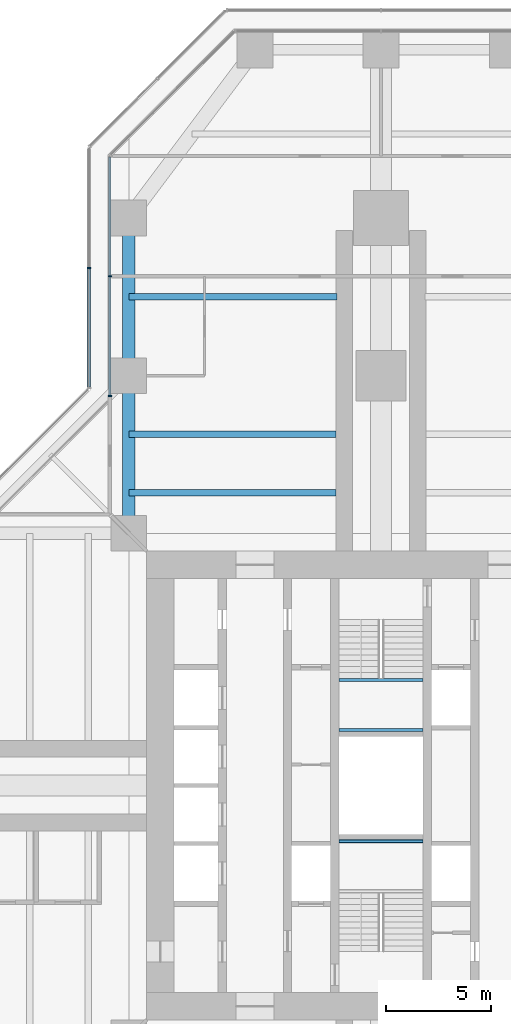
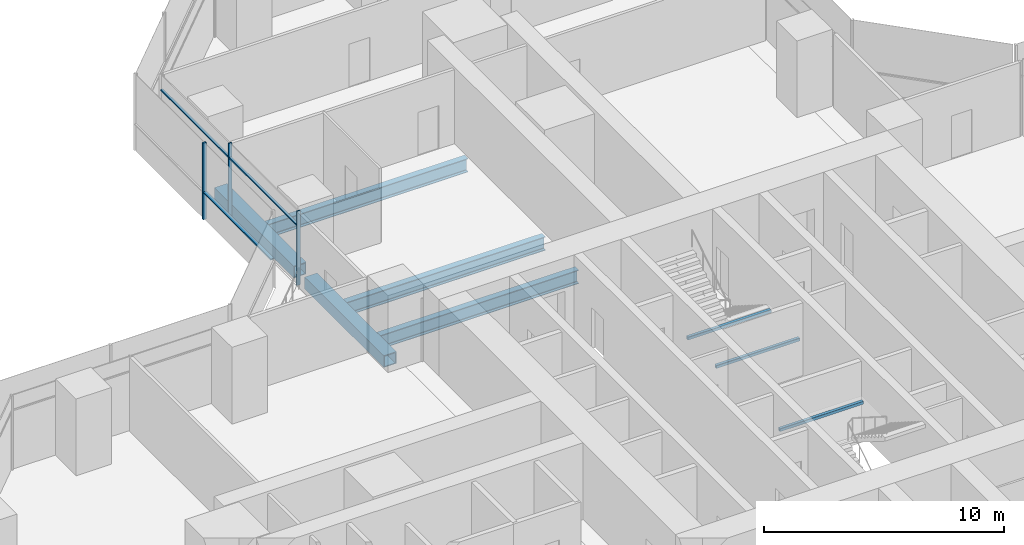
# One storey, part 9 of 22: 8 beams, 6 members, 2 elements without a shape of their own.
"""IFC4 building model written with IfcOpenShell, lengths in metres."""

from ifc_helpers import new_model, si_unit, direction, frame, origin, origin_2d, place, context, subcontext, project, spatial, rectangle, hollow_rectangle, i_section, extrude, material, material_profile, profile_set, type_object, element, aggregate, save


model = new_model("IFC4")

# Units and contexts
model_context = context("Model", 3, precision=1e-05, world=origin(), true_north=direction((0.0, 1.0)))
body_context = subcontext(model_context, "Body", "Model", "MODEL_VIEW")
ifc_project = project(units=[si_unit("LENGTHUNIT", "METRE"), si_unit("AREAUNIT", "SQUARE_METRE"), si_unit("VOLUMEUNIT", "CUBIC_METRE"), si_unit("PLANEANGLEUNIT", "RADIAN"), si_unit("MASSUNIT", "GRAM", prefix="KILO")], contexts=[model_context])

# Site, building, storey
site_placement = place(None, origin())
site = spatial("IfcSite", under=ifc_project, at=site_placement, CompositionType="ELEMENT")
building_placement = place(site_placement, origin())
building = spatial("IfcBuilding", under=site, at=building_placement, Name="Mizan Broadcast Tower", CompositionType="ELEMENT")
storey_placement = place(building_placement, frame((0.0, 0.0, 43.5)))
storey = spatial("IfcBuildingStorey", under=building, at=storey_placement, Name="L07", CompositionType="ELEMENT", Elevation=43.5)

# Beams
ifc_material_1 = material(Name="Steel S355", Category="steel")
ifc_material_profile_1 = material_profile(ifc_material_1, hollow_rectangle(XDim=0.60009765625, YDim=0.60009765625, WallThickness=0.0400390625, at=origin_2d()), Name="BOX 600x600x40")
ifc_profile_set_1 = profile_set([ifc_material_profile_1], Name="Steel S355")
beam_type_1 = type_object("IfcBeamType", Name="EDGE BEAM BOX 600x600x40", PredefinedType="SPANDREL", material=ifc_profile_set_1)
for number, where, z_axis, x_axis, name in (
    (1, (-12.0, 12.449951171875, -0.429931640625), (0.0, 1.0, 0.0), (-1.0, 0.0, 0.0), "Edge beam BOX 600x600x40 L07 north arm"),
    (2, (-12.0, 19.949951171875, -0.429931640625), (0.0, 1.0, 0.0), (-1.0, 0.0, 0.0), "Edge beam BOX 600x600x40 L07 north arm"),
):
    element("IfcBeam", number, at=place(storey_placement, frame(where, z_axis=z_axis, x_axis=x_axis)), inside=storey, type_object=beam_type_1, Name=name, PredefinedType="SPANDREL", context=body_context, shape_type="SweptSolid", body=[
        extrude(hollow_rectangle(XDim=0.60009765625, YDim=0.60009765625, WallThickness=0.0400390625, at=origin_2d()), origin(), (0.0, 0.0, 1.0), 6.60009765625),
    ])

# Curtain wall, members
ifc_material_2 = material(Name="Aluminium framed glazing", Category="aluminium")
curtain_wall_type_1 = type_object("IfcCurtainWallType", Name="INNER SKIN LOW ZONE", PredefinedType="USERDEFINED", material=ifc_material_2)
curtain_wall_1_placement = place(storey_placement, origin())
curtain_wall_1 = element("IfcCurtainWall", 3, at=curtain_wall_1_placement, inside=storey, type_object=curtain_wall_type_1, Name="Inner skin low zone L07 N side", ObjectType="INNER SKIN LOW ZONE", PredefinedType="USERDEFINED")
ifc_material_3 = material(Name="Aluminium, pale anodised", Category="aluminium")
ifc_material_profile_2 = material_profile(ifc_material_3, rectangle(XDim=0.159912109375, YDim=0.06005859375, at=origin_2d()), Name="MULLION 160x60")
ifc_profile_set_2 = profile_set([ifc_material_profile_2], Name="Aluminium, pale anodised")
member_type_1 = type_object("IfcMemberType", Name="INNER SKIN MULLION 60x160", PredefinedType="MULLION", material=ifc_profile_set_2)
member_1_placement = place(storey_placement, frame((-12.89990234375, 24.229248046875, 0.0), z_axis=(0.0, 0.0, 1.0), x_axis=(1.0, 0.0, 0.0)))
member_1 = element("IfcMember", 4, at=member_1_placement, type_object=member_type_1, Name="Inner skin low zone L07 N side mullion 2", PredefinedType="MULLION", context=body_context, shape_type="SweptSolid", body=[
    extrude(rectangle(XDim=0.159912109375, YDim=0.06005859375, at=origin_2d()), origin(), (0.0, 0.0, 1.0), 3.77001953125),
])
member_2_placement = place(storey_placement, frame((-12.89990234375, 18.530029296875, 0.0), z_axis=(0.0, 0.0, 1.0), x_axis=(1.0, 0.0, 0.0)))
member_2 = element("IfcMember", 5, at=member_2_placement, type_object=member_type_1, Name="Inner skin low zone L07 N side mullion 3", PredefinedType="MULLION", context=body_context, shape_type="SweptSolid", body=[
    extrude(rectangle(XDim=0.159912109375, YDim=0.06005859375, at=origin_2d()), origin(), (0.0, 0.0, 1.0), 3.77001953125),
])
ifc_material_4 = material(Name="Aluminium, pale anodised", Category="aluminium")
ifc_material_profile_3 = material_profile(ifc_material_4, rectangle(XDim=0.1201171875, YDim=0.06005859375, at=origin_2d()), Name="TRANSOM 120x60")
ifc_profile_set_3 = profile_set([ifc_material_profile_3], Name="Aluminium, pale anodised")
member_type_2 = type_object("IfcMemberType", Name="INNER SKIN TRANSOM 60x120", PredefinedType="USERDEFINED", material=ifc_profile_set_3)
member_3_placement = place(storey_placement, frame((-12.89990234375, 29.898681640625, 3.030029296875), z_axis=(0.0, -1.0, 0.0), x_axis=(1.0, 0.0, 0.0)))
member_3 = element("IfcMember", 6, at=member_3_placement, type_object=member_type_2, Name="Inner skin low zone L07 N side transom 1.1", ObjectType="TRANSOM", PredefinedType="USERDEFINED", context=body_context, shape_type="SweptSolid", body=[
    extrude(rectangle(XDim=0.1201171875, YDim=0.06005859375, at=origin_2d()), origin(), (0.0, 0.0, 1.0), 5.639404296875),
])
member_4_placement = place(storey_placement, frame((-12.89990234375, 24.19921875, 3.030029296875), z_axis=(0.0, -1.0, 0.0), x_axis=(1.0, 0.0, 0.0)))
member_4 = element("IfcMember", 7, at=member_4_placement, type_object=member_type_2, Name="Inner skin low zone L07 N side transom 2.1", ObjectType="TRANSOM", PredefinedType="USERDEFINED", context=body_context, shape_type="SweptSolid", body=[
    extrude(rectangle(XDim=0.1201171875, YDim=0.06005859375, at=origin_2d()), origin(), (0.0, 0.0, 1.0), 5.63916015625),
])
aggregate(curtain_wall_1, [member_1, member_2, member_3, member_4])

# Beams
ifc_material_5 = material(Name="Steel S355", Category="steel")
ifc_material_profile_4 = material_profile(ifc_material_5, hollow_rectangle(XDim=0.14990234375, YDim=0.14990234375, WallThickness=0.008056640625, InnerFilletRadius=0.008056640625, OuterFilletRadius=0.011962890625, at=origin_2d()), Name="SHS 150x150x8")
ifc_profile_set_4 = profile_set([ifc_material_profile_4], Name="Steel S355")
beam_type_2 = type_object("IfcBeamType", Name="LANDING TRIMMER SHS 150x150x8", PredefinedType="BEAM", material=ifc_profile_set_4)
for number, where, z_axis, x_axis, name in (
    (8, (-2.0, -2.64990234375, 1.675048828125), (1.0, 0.0, 0.0), (0.0, 1.0, 0.0), "Stair A landing trimmer L07"),
    (9, (2.0, 5.02490234375, 1.675048828125), (-1.0, 0.0, 0.0), (0.0, -1.0, 0.0), "Stair B landing trimmer L07"),
    (10, (2.0, 2.64990234375, 1.675048828125), (-1.0, 0.0, 0.0), (0.0, -1.0, 0.0), "Stair B landing trimmer L07"),
):
    element("IfcBeam", number, at=place(storey_placement, frame(where, z_axis=z_axis, x_axis=x_axis)), inside=storey, type_object=beam_type_2, Name=name, PredefinedType="BEAM", context=body_context, shape_type="SweptSolid", body=[
        extrude(hollow_rectangle(XDim=0.14990234375, YDim=0.14990234375, WallThickness=0.008056640625, InnerFilletRadius=0.008056640625, OuterFilletRadius=0.011962890625, at=origin_2d()), origin(), (0.0, 0.0, 1.0), 4.0),
    ])

# Curtain wall, members
ifc_material_6 = material(Name="Aluminium framed glazing", Category="aluminium")
curtain_wall_type_2 = type_object("IfcCurtainWallType", Name="OUTER SKIN", PredefinedType="USERDEFINED", material=ifc_material_6)
curtain_wall_2_placement = place(storey_placement, origin())
curtain_wall_2 = element("IfcCurtainWall", 11, at=curtain_wall_2_placement, inside=storey, type_object=curtain_wall_type_2, Name="Outer skin L07 N side", ObjectType="OUTER SKIN", PredefinedType="USERDEFINED")
ifc_material_7 = material(Name="Aluminium, pale anodised", Category="aluminium")
ifc_material_profile_5 = material_profile(ifc_material_7, rectangle(XDim=0.159912109375, YDim=0.080078125, at=origin_2d()), Name="MULLION 160x80")
ifc_profile_set_5 = profile_set([ifc_material_profile_5], Name="Aluminium, pale anodised")
member_type_3 = type_object("IfcMemberType", Name="OUTER SKIN MULLION 80x160", PredefinedType="MULLION", material=ifc_profile_set_5)
member_5_placement = place(storey_placement, frame((-13.89990234375, 24.622802734375, 0.0), z_axis=(0.0, 0.0, 1.0), x_axis=(1.0, 0.0, 0.0)))
member_5 = element("IfcMember", 12, at=member_5_placement, type_object=member_type_3, Name="Outer skin L07 N side mullion 2", PredefinedType="MULLION", context=body_context, shape_type="SweptSolid", body=[
    extrude(rectangle(XDim=0.159912109375, YDim=0.080078125, at=origin_2d()), origin(), (0.0, 0.0, 1.0), 3.89990234375),
])
ifc_material_8 = material(Name="Aluminium, pale anodised", Category="aluminium")
ifc_material_profile_6 = material_profile(ifc_material_8, rectangle(XDim=0.159912109375, YDim=0.06005859375, at=origin_2d()), Name="TRANSOM 160x60")
ifc_profile_set_6 = profile_set([ifc_material_profile_6], Name="Aluminium, pale anodised")
member_type_4 = type_object("IfcMemberType", Name="OUTER SKIN TRANSOM 60x160", PredefinedType="USERDEFINED", material=ifc_profile_set_6)
member_6_placement = place(storey_placement, frame((-13.89990234375, 24.582763671875, 1.39990234375), z_axis=(0.0, -1.0, 0.0), x_axis=(1.0, 0.0, 0.0)))
member_6 = element("IfcMember", 13, at=member_6_placement, type_object=member_type_4, Name="Outer skin L07 N side transom 2.1", ObjectType="TRANSOM", PredefinedType="USERDEFINED", context=body_context, shape_type="SweptSolid", body=[
    extrude(rectangle(XDim=0.159912109375, YDim=0.06005859375, at=origin_2d()), origin(), (0.0, 0.0, 1.0), 5.6298828125),
])
aggregate(curtain_wall_2, [member_5, member_6])

# Beams
ifc_material_9 = material(Name="Steel S355", Category="steel")
ifc_material_profile_7 = material_profile(ifc_material_9, i_section(OverallWidth=0.300048828125, OverallDepth=0.68994140625, WebThickness=0.014404296875, FlangeThickness=0.027099609375, FilletRadius=0.027099609375, at=origin_2d()), Name="HEA 700")
ifc_profile_set_7 = profile_set([ifc_material_profile_7], Name="Steel S355")
beam_type_3 = type_object("IfcBeamType", Name="SECONDARY BEAM HEA 700", PredefinedType="JOIST", material=ifc_profile_set_7)
for number, where, z_axis, x_axis, name in (
    (14, (-12.0, 13.933349609375, -0.47509765625), (1.0, 0.0, 0.0), (0.0, 1.0, 0.0), "Secondary beam HEA 700 L07 north arm"),
    (15, (-12.0, 16.716552734375, -0.47509765625), (1.0, 0.0, 0.0), (0.0, 1.0, 0.0), "Secondary beam HEA 700 L07 north arm"),
):
    element("IfcBeam", number, at=place(storey_placement, frame(where, z_axis=z_axis, x_axis=x_axis)), inside=storey, type_object=beam_type_3, Name=name, PredefinedType="JOIST", context=body_context, shape_type="SweptSolid", body=[
        extrude(i_section(OverallWidth=0.300048828125, OverallDepth=0.68994140625, WebThickness=0.014404296875, FlangeThickness=0.027099609375, FilletRadius=0.027099609375, at=origin_2d()), origin(), (0.0, 0.0, 1.0), 9.85009765625),
    ])
beam_placement = place(storey_placement, frame((-12.0, 23.25, -0.47509765625), z_axis=(1.0, 0.0, 0.0), x_axis=(0.0, 1.0, 0.0)))
element("IfcBeam", 16, at=beam_placement, inside=storey, type_object=beam_type_3, Name="Secondary beam HEA 700 L07 north arm", PredefinedType="JOIST", context=body_context, shape_type="SweptSolid", body=[
    extrude(i_section(OverallWidth=0.300048828125, OverallDepth=0.68994140625, WebThickness=0.014404296875, FlangeThickness=0.027099609375, FilletRadius=0.027099609375, at=origin_2d()), origin(), (0.0, 0.0, 1.0), 9.89990234375),
])

save(model, "model.ifc")
